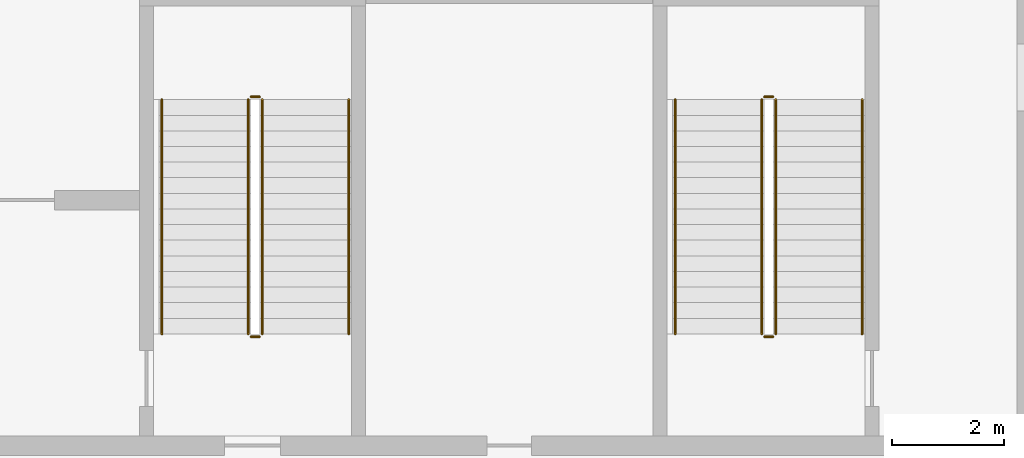
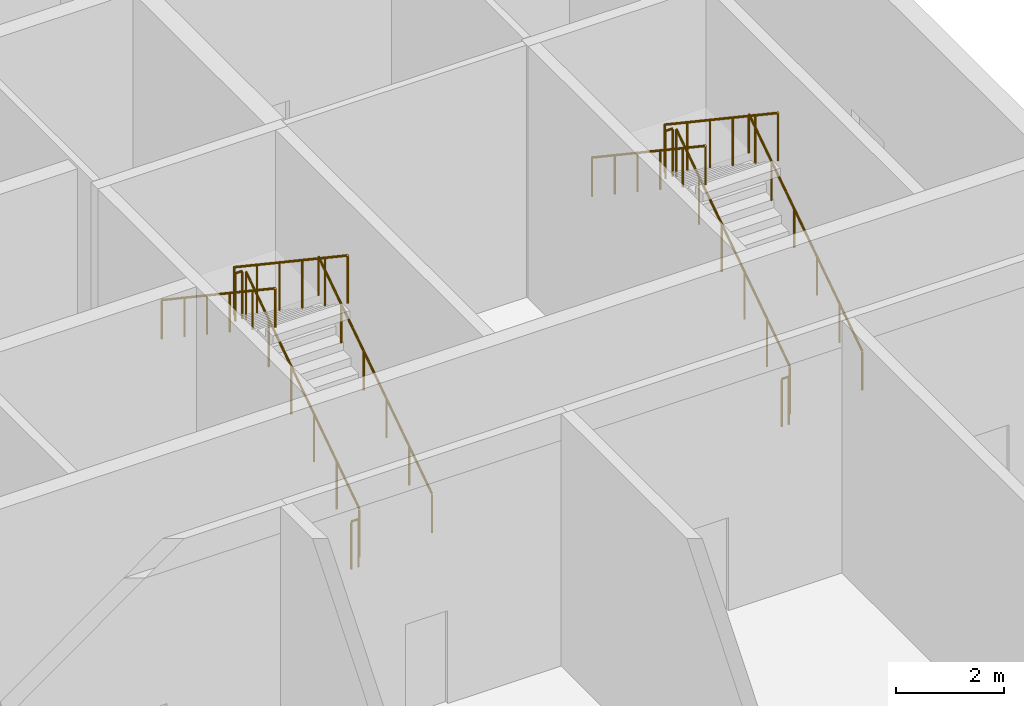
# One storey, part 17 of 17: 12 railings.
"""IFC4 building model written with IfcOpenShell, lengths in metres."""

from ifc_helpers import new_model, si_unit, direction, frame, origin, origin_2d, place, context, subcontext, project, spatial, circle, extrude, material, type_object, element, save


model = new_model("IFC4")

# Units and contexts
model_context = context("Model", 3, precision=1e-05, world=origin(), true_north=direction((0.0, 1.0)))
body_context = subcontext(model_context, "Body", "Model", "MODEL_VIEW")
ifc_project = project(units=[si_unit("LENGTHUNIT", "METRE"), si_unit("AREAUNIT", "SQUARE_METRE"), si_unit("VOLUMEUNIT", "CUBIC_METRE"), si_unit("PLANEANGLEUNIT", "RADIAN"), si_unit("MASSUNIT", "GRAM", prefix="KILO")], contexts=[model_context])

# Site, building, storey
site_placement = place(None, origin())
site = spatial("IfcSite", under=ifc_project, at=site_placement, CompositionType="ELEMENT")
building_placement = place(site_placement, origin())
building = spatial("IfcBuilding", under=site, at=building_placement, Name="Poui Terraces", CompositionType="ELEMENT")
storey_placement = place(building_placement, frame((0.0, 0.0, 261.0)))
storey = spatial("IfcBuildingStorey", under=building, at=storey_placement, Name="L73", CompositionType="ELEMENT", Elevation=261.0)

# Railings
ifc_material_1 = material(Name="Galvanised steel balustrade", Category="steel")
railing_type_1 = type_object("IfcRailingType", Name="STAIR GUARD 1100", PredefinedType="GUARDRAIL", material=ifc_material_1)
railing_1_placement = place(storey_placement, frame((70.27490234375, 16.60009765625, 0.1875)))
element("IfcRailing", 1, at=railing_1_placement, inside=storey, type_object=railing_type_1, Name="L73 ST-CE stair guard 1", PredefinedType="GUARDRAIL", context=body_context, shape_type="SweptSolid", body=[
    extrude(circle(Radius=0.02392578125, at=origin_2d()), frame((0.0, 0.0, 1.076171875), z_axis=(0.0, 0.830904186295, 0.556415522067), x_axis=(-1.0, 0.0, 0.0)), (0.0, 0.0, 1.0), 5.0546875),
    extrude(circle(Radius=0.02099609375, at=origin_2d()), origin(), (0.0, 0.0, 1.0), 1.052001953125),
    extrude(circle(Radius=0.02099609375, at=origin_2d()), frame((0.0, 0.840087890625, 0.5625)), (0.0, 0.0, 1.0), 1.052001953125),
    extrude(circle(Radius=0.02099609375, at=origin_2d()), frame((0.0, 1.679931640625, 1.125)), (0.0, 0.0, 1.0), 1.052001953125),
    extrude(circle(Radius=0.02099609375, at=origin_2d()), frame((0.0, 2.52001953125, 1.6875)), (0.0, 0.0, 1.0), 1.052001953125),
    extrude(circle(Radius=0.02099609375, at=origin_2d()), frame((0.0, 3.35986328125, 2.25)), (0.0, 0.0, 1.0), 1.052001953125),
    extrude(circle(Radius=0.02099609375, at=origin_2d()), frame((0.0, 4.199951171875, 2.8125)), (0.0, 0.0, 1.0), 1.052001953125),
])
railing_2_placement = place(storey_placement, frame((70.22509765625, 20.85009765625, 3.0)))
element("IfcRailing", 2, at=railing_2_placement, inside=storey, type_object=railing_type_1, Name="L73 ST-CE stair guard 2", PredefinedType="GUARDRAIL", context=body_context, shape_type="SweptSolid", body=[
    extrude(circle(Radius=0.02392578125, at=origin_2d()), frame((0.0, 0.0, 1.076171875), z_axis=(-1.0, 0.0, 0.0), x_axis=(0.0, -1.0, 0.0)), (0.0, 0.0, 1.0), 0.150146484375),
    extrude(circle(Radius=0.02099609375, at=origin_2d()), origin(), (0.0, 0.0, 1.0), 1.052001953125),
    extrude(circle(Radius=0.02099609375, at=origin_2d()), frame((-0.150146484375, 0.0, 0.0)), (0.0, 0.0, 1.0), 1.052001953125),
])
railing_3_placement = place(storey_placement, frame((70.02490234375, 20.800048828125, 3.1875)))
element("IfcRailing", 3, at=railing_3_placement, inside=storey, type_object=railing_type_1, Name="L73 ST-CE stair guard 3", PredefinedType="GUARDRAIL", context=body_context, shape_type="SweptSolid", body=[
    extrude(circle(Radius=0.02392578125, at=origin_2d()), frame((0.0, 0.0, 1.076171875), z_axis=(0.0, -0.830904186295, 0.556415522067), x_axis=(1.0, 0.0, 0.0)), (0.0, 0.0, 1.0), 5.0546875),
    extrude(circle(Radius=0.02099609375, at=origin_2d()), origin(), (0.0, 0.0, 1.0), 1.052001953125),
    extrude(circle(Radius=0.02099609375, at=origin_2d()), frame((0.0, -0.840087890625, 0.5625)), (0.0, 0.0, 1.0), 1.052001953125),
    extrude(circle(Radius=0.02099609375, at=origin_2d()), frame((0.0, -1.679931640625, 1.125)), (0.0, 0.0, 1.0), 1.052001953125),
    extrude(circle(Radius=0.02099609375, at=origin_2d()), frame((0.0, -2.52001953125, 1.6875)), (0.0, 0.0, 1.0), 1.052001953125),
    extrude(circle(Radius=0.02099609375, at=origin_2d()), frame((0.0, -3.35986328125, 2.25)), (0.0, 0.0, 1.0), 1.052001953125),
    extrude(circle(Radius=0.02099609375, at=origin_2d()), frame((0.0, -4.199951171875, 2.8125)), (0.0, 0.0, 1.0), 1.052001953125),
])
railing_4_placement = place(storey_placement, frame((70.22509765625, 16.550048828125, 0.0)))
element("IfcRailing", 4, at=railing_4_placement, inside=storey, type_object=railing_type_1, Name="L73 ST-CE stair guard 4", PredefinedType="GUARDRAIL", context=body_context, shape_type="SweptSolid", body=[
    extrude(circle(Radius=0.02392578125, at=origin_2d()), frame((0.0, 0.0, 1.076171875), z_axis=(-1.0, 0.0, 0.0), x_axis=(0.0, -1.0, 0.0)), (0.0, 0.0, 1.0), 0.150146484375),
    extrude(circle(Radius=0.02099609375, at=origin_2d()), origin(), (0.0, 0.0, 1.0), 1.052001953125),
    extrude(circle(Radius=0.02099609375, at=origin_2d()), frame((-0.150146484375, 0.0, 0.0)), (0.0, 0.0, 1.0), 1.052001953125),
])
railing_5_placement = place(storey_placement, frame((79.47509765625, 16.60009765625, 0.1875)))
element("IfcRailing", 5, at=railing_5_placement, inside=storey, type_object=railing_type_1, Name="L73 ST-E stair guard 1", PredefinedType="GUARDRAIL", context=body_context, shape_type="SweptSolid", body=[
    extrude(circle(Radius=0.02392578125, at=origin_2d()), frame((0.0, 0.0, 1.076171875), z_axis=(0.0, 0.830904186295, 0.556415522067), x_axis=(-1.0, 0.0, 0.0)), (0.0, 0.0, 1.0), 5.0546875),
    extrude(circle(Radius=0.02099609375, at=origin_2d()), origin(), (0.0, 0.0, 1.0), 1.052001953125),
    extrude(circle(Radius=0.02099609375, at=origin_2d()), frame((0.0, 0.840087890625, 0.5625)), (0.0, 0.0, 1.0), 1.052001953125),
    extrude(circle(Radius=0.02099609375, at=origin_2d()), frame((0.0, 1.679931640625, 1.125)), (0.0, 0.0, 1.0), 1.052001953125),
    extrude(circle(Radius=0.02099609375, at=origin_2d()), frame((0.0, 2.52001953125, 1.6875)), (0.0, 0.0, 1.0), 1.052001953125),
    extrude(circle(Radius=0.02099609375, at=origin_2d()), frame((0.0, 3.35986328125, 2.25)), (0.0, 0.0, 1.0), 1.052001953125),
    extrude(circle(Radius=0.02099609375, at=origin_2d()), frame((0.0, 4.199951171875, 2.8125)), (0.0, 0.0, 1.0), 1.052001953125),
])
railing_6_placement = place(storey_placement, frame((79.425048828125, 20.85009765625, 3.0)))
element("IfcRailing", 6, at=railing_6_placement, inside=storey, type_object=railing_type_1, Name="L73 ST-E stair guard 2", PredefinedType="GUARDRAIL", context=body_context, shape_type="SweptSolid", body=[
    extrude(circle(Radius=0.02392578125, at=origin_2d()), frame((0.0, 0.0, 1.076171875), z_axis=(-1.0, 0.0, 0.0), x_axis=(0.0, -1.0, 0.0)), (0.0, 0.0, 1.0), 0.150146484375),
    extrude(circle(Radius=0.02099609375, at=origin_2d()), origin(), (0.0, 0.0, 1.0), 1.052001953125),
    extrude(circle(Radius=0.02099609375, at=origin_2d()), frame((-0.150146484375, 0.0, 0.0)), (0.0, 0.0, 1.0), 1.052001953125),
])
railing_7_placement = place(storey_placement, frame((79.22509765625, 20.800048828125, 3.1875)))
element("IfcRailing", 7, at=railing_7_placement, inside=storey, type_object=railing_type_1, Name="L73 ST-E stair guard 3", PredefinedType="GUARDRAIL", context=body_context, shape_type="SweptSolid", body=[
    extrude(circle(Radius=0.02392578125, at=origin_2d()), frame((0.0, 0.0, 1.076171875), z_axis=(0.0, -0.830904186295, 0.556415522067), x_axis=(1.0, 0.0, 0.0)), (0.0, 0.0, 1.0), 5.0546875),
    extrude(circle(Radius=0.02099609375, at=origin_2d()), origin(), (0.0, 0.0, 1.0), 1.052001953125),
    extrude(circle(Radius=0.02099609375, at=origin_2d()), frame((0.0, -0.840087890625, 0.5625)), (0.0, 0.0, 1.0), 1.052001953125),
    extrude(circle(Radius=0.02099609375, at=origin_2d()), frame((0.0, -1.679931640625, 1.125)), (0.0, 0.0, 1.0), 1.052001953125),
    extrude(circle(Radius=0.02099609375, at=origin_2d()), frame((0.0, -2.52001953125, 1.6875)), (0.0, 0.0, 1.0), 1.052001953125),
    extrude(circle(Radius=0.02099609375, at=origin_2d()), frame((0.0, -3.35986328125, 2.25)), (0.0, 0.0, 1.0), 1.052001953125),
    extrude(circle(Radius=0.02099609375, at=origin_2d()), frame((0.0, -4.199951171875, 2.8125)), (0.0, 0.0, 1.0), 1.052001953125),
])
railing_8_placement = place(storey_placement, frame((79.425048828125, 16.550048828125, 0.0)))
element("IfcRailing", 8, at=railing_8_placement, inside=storey, type_object=railing_type_1, Name="L73 ST-E stair guard 4", PredefinedType="GUARDRAIL", context=body_context, shape_type="SweptSolid", body=[
    extrude(circle(Radius=0.02392578125, at=origin_2d()), frame((0.0, 0.0, 1.076171875), z_axis=(-1.0, 0.0, 0.0), x_axis=(0.0, -1.0, 0.0)), (0.0, 0.0, 1.0), 0.150146484375),
    extrude(circle(Radius=0.02099609375, at=origin_2d()), origin(), (0.0, 0.0, 1.0), 1.052001953125),
    extrude(circle(Radius=0.02099609375, at=origin_2d()), frame((-0.150146484375, 0.0, 0.0)), (0.0, 0.0, 1.0), 1.052001953125),
])
ifc_material_2 = material(Name="Stainless steel handrail", Category="steel")
railing_type_2 = type_object("IfcRailingType", Name="STAIR HANDRAIL 900", PredefinedType="HANDRAIL", material=ifc_material_2)
railing_9_placement = place(storey_placement, frame((71.824951171875, 16.60009765625, 0.1875)))
element("IfcRailing", 9, at=railing_9_placement, inside=storey, type_object=railing_type_2, Name="L73 ST-CE stair handrail 1", PredefinedType="HANDRAIL", context=body_context, shape_type="SweptSolid", body=[
    extrude(circle(Radius=0.02392578125, at=origin_2d()), frame((0.0, 0.0, 0.8759765625), z_axis=(0.0, 0.830904186295, 0.556415522067), x_axis=(-1.0, 0.0, 0.0)), (0.0, 0.0, 1.0), 5.0546875),
    extrude(circle(Radius=0.02099609375, at=origin_2d()), origin(), (0.0, 0.0, 1.0), 0.851806640625),
    extrude(circle(Radius=0.02099609375, at=origin_2d()), frame((0.0, 0.840087890625, 0.5625)), (0.0, 0.0, 1.0), 0.851806640625),
    extrude(circle(Radius=0.02099609375, at=origin_2d()), frame((0.0, 1.679931640625, 1.125)), (0.0, 0.0, 1.0), 0.851806640625),
    extrude(circle(Radius=0.02099609375, at=origin_2d()), frame((0.0, 2.52001953125, 1.6875)), (0.0, 0.0, 1.0), 0.851806640625),
    extrude(circle(Radius=0.02099609375, at=origin_2d()), frame((0.0, 3.35986328125, 2.25)), (0.0, 0.0, 1.0), 0.851806640625),
    extrude(circle(Radius=0.02099609375, at=origin_2d()), frame((0.0, 4.199951171875, 2.8125)), (0.0, 0.0, 1.0), 0.851806640625),
])
railing_10_placement = place(storey_placement, frame((68.47509765625, 20.800048828125, 3.1875)))
element("IfcRailing", 10, at=railing_10_placement, inside=storey, type_object=railing_type_2, Name="L73 ST-CE stair handrail 2", PredefinedType="HANDRAIL", context=body_context, shape_type="SweptSolid", body=[
    extrude(circle(Radius=0.02392578125, at=origin_2d()), frame((0.0, 0.0, 0.8759765625), z_axis=(0.0, -0.830904186295, 0.556415522067), x_axis=(1.0, 0.0, 0.0)), (0.0, 0.0, 1.0), 5.0546875),
    extrude(circle(Radius=0.02099609375, at=origin_2d()), origin(), (0.0, 0.0, 1.0), 0.851806640625),
    extrude(circle(Radius=0.02099609375, at=origin_2d()), frame((0.0, -0.840087890625, 0.5625)), (0.0, 0.0, 1.0), 0.851806640625),
    extrude(circle(Radius=0.02099609375, at=origin_2d()), frame((0.0, -1.679931640625, 1.125)), (0.0, 0.0, 1.0), 0.851806640625),
    extrude(circle(Radius=0.02099609375, at=origin_2d()), frame((0.0, -2.52001953125, 1.6875)), (0.0, 0.0, 1.0), 0.851806640625),
    extrude(circle(Radius=0.02099609375, at=origin_2d()), frame((0.0, -3.35986328125, 2.25)), (0.0, 0.0, 1.0), 0.851806640625),
    extrude(circle(Radius=0.02099609375, at=origin_2d()), frame((0.0, -4.199951171875, 2.8125)), (0.0, 0.0, 1.0), 0.851806640625),
])
railing_11_placement = place(storey_placement, frame((81.02490234375, 16.60009765625, 0.1875)))
element("IfcRailing", 11, at=railing_11_placement, inside=storey, type_object=railing_type_2, Name="L73 ST-E stair handrail 1", PredefinedType="HANDRAIL", context=body_context, shape_type="SweptSolid", body=[
    extrude(circle(Radius=0.02392578125, at=origin_2d()), frame((0.0, 0.0, 0.8759765625), z_axis=(0.0, 0.830904186295, 0.556415522067), x_axis=(-1.0, 0.0, 0.0)), (0.0, 0.0, 1.0), 5.0546875),
    extrude(circle(Radius=0.02099609375, at=origin_2d()), origin(), (0.0, 0.0, 1.0), 0.851806640625),
    extrude(circle(Radius=0.02099609375, at=origin_2d()), frame((0.0, 0.840087890625, 0.5625)), (0.0, 0.0, 1.0), 0.851806640625),
    extrude(circle(Radius=0.02099609375, at=origin_2d()), frame((0.0, 1.679931640625, 1.125)), (0.0, 0.0, 1.0), 0.851806640625),
    extrude(circle(Radius=0.02099609375, at=origin_2d()), frame((0.0, 2.52001953125, 1.6875)), (0.0, 0.0, 1.0), 0.851806640625),
    extrude(circle(Radius=0.02099609375, at=origin_2d()), frame((0.0, 3.35986328125, 2.25)), (0.0, 0.0, 1.0), 0.851806640625),
    extrude(circle(Radius=0.02099609375, at=origin_2d()), frame((0.0, 4.199951171875, 2.8125)), (0.0, 0.0, 1.0), 0.851806640625),
])
railing_12_placement = place(storey_placement, frame((77.675048828125, 20.800048828125, 3.1875)))
element("IfcRailing", 12, at=railing_12_placement, inside=storey, type_object=railing_type_2, Name="L73 ST-E stair handrail 2", PredefinedType="HANDRAIL", context=body_context, shape_type="SweptSolid", body=[
    extrude(circle(Radius=0.02392578125, at=origin_2d()), frame((0.0, 0.0, 0.8759765625), z_axis=(0.0, -0.830904186295, 0.556415522067), x_axis=(1.0, 0.0, 0.0)), (0.0, 0.0, 1.0), 5.0546875),
    extrude(circle(Radius=0.02099609375, at=origin_2d()), origin(), (0.0, 0.0, 1.0), 0.851806640625),
    extrude(circle(Radius=0.02099609375, at=origin_2d()), frame((0.0, -0.840087890625, 0.5625)), (0.0, 0.0, 1.0), 0.851806640625),
    extrude(circle(Radius=0.02099609375, at=origin_2d()), frame((0.0, -1.679931640625, 1.125)), (0.0, 0.0, 1.0), 0.851806640625),
    extrude(circle(Radius=0.02099609375, at=origin_2d()), frame((0.0, -2.52001953125, 1.6875)), (0.0, 0.0, 1.0), 0.851806640625),
    extrude(circle(Radius=0.02099609375, at=origin_2d()), frame((0.0, -3.35986328125, 2.25)), (0.0, 0.0, 1.0), 0.851806640625),
    extrude(circle(Radius=0.02099609375, at=origin_2d()), frame((0.0, -4.199951171875, 2.8125)), (0.0, 0.0, 1.0), 0.851806640625),
])

save(model, "model.ifc")
